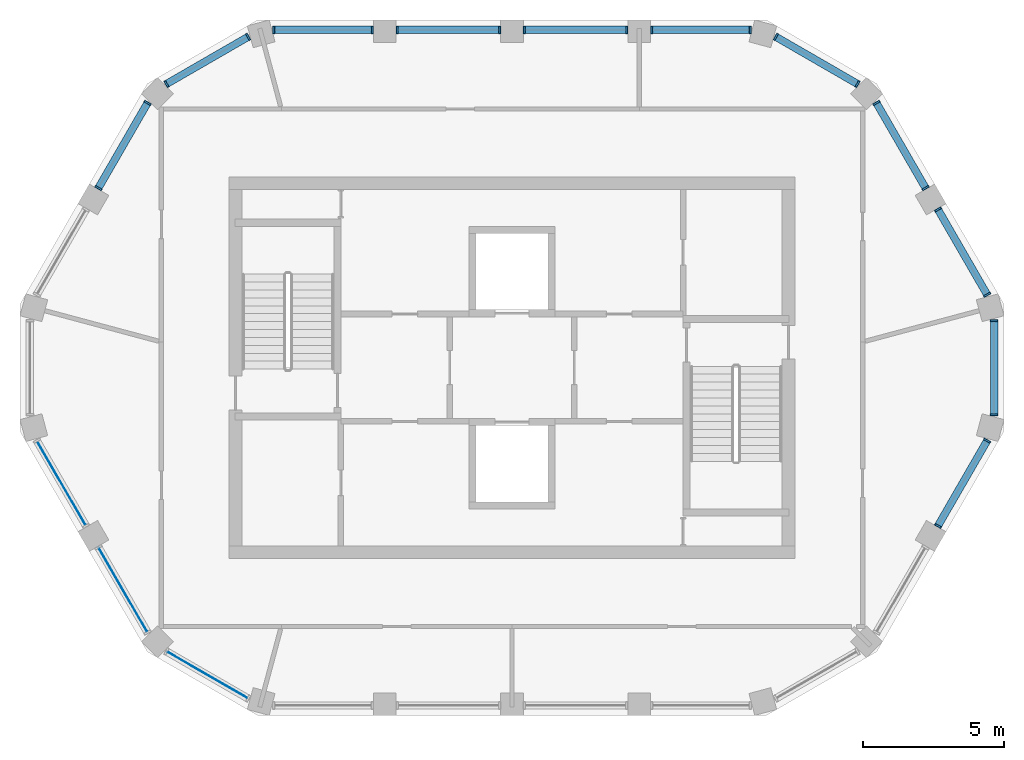
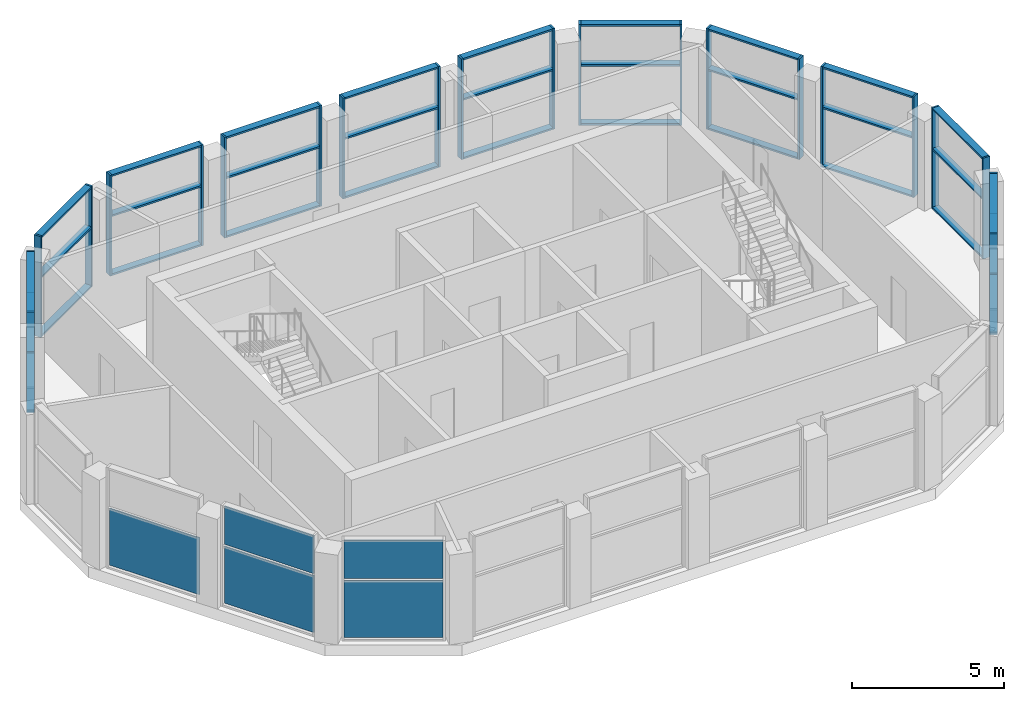
# One storey, part 2 of 6: 55 members, 5 plates, 14 elements without a shape of their own.
"""IFC4 building model written with IfcOpenShell, lengths in metres."""

from ifc_helpers import new_model, si_unit, direction, frame, origin, origin_2d, place, context, subcontext, project, spatial, rectangle, extrude, material, layer, layer_set, material_profile, profile_set, type_object, element, aggregate, save


model = new_model("IFC4")

# Units and contexts
model_context = context("Model", 3, precision=1e-05, world=origin(), true_north=direction((0.0, 1.0)))
body_context = subcontext(model_context, "Body", "Model", "MODEL_VIEW")
ifc_project = project(units=[si_unit("LENGTHUNIT", "METRE"), si_unit("AREAUNIT", "SQUARE_METRE"), si_unit("VOLUMEUNIT", "CUBIC_METRE"), si_unit("PLANEANGLEUNIT", "RADIAN"), si_unit("MASSUNIT", "GRAM", prefix="KILO")], contexts=[model_context])

# Site, building, storey
site_placement = place(None, origin())
site = spatial("IfcSite", under=ifc_project, at=site_placement, CompositionType="ELEMENT")
building_placement = place(site_placement, origin())
building = spatial("IfcBuilding", under=site, at=building_placement, Name="Dhurran Vertical Campus", CompositionType="ELEMENT")
storey_placement = place(building_placement, frame((0.0, 0.0, 327.89990234375)))
storey = spatial("IfcBuildingStorey", under=building, at=storey_placement, Name="L80 Plant", CompositionType="ELEMENT", Elevation=327.89990234375)

# Curtain wall, members
ifc_material_1 = material(Name="Aluminium frame with solar-control glass", Category="aluminium")
ifc_layer_1 = layer(ifc_material_1, 0.260009765625)
ifc_layer_set_1 = layer_set([ifc_layer_1], Name="Aluminium frame with solar-control glass")
curtain_wall_type = type_object("IfcCurtainWallType", Name="Crown lantern glazing system", PredefinedType="NOTDEFINED", material=ifc_layer_set_1)
curtain_wall_1_placement = place(storey_placement, origin())
curtain_wall_1 = element("IfcCurtainWall", 1, at=curtain_wall_1_placement, inside=storey, type_object=curtain_wall_type, Name="CW6 L80.06", PredefinedType="NOTDEFINED")
ifc_material_2 = material(Name="Aluminium mullion", Category="aluminium")
ifc_material_profile_1 = material_profile(ifc_material_2, rectangle(XDim=0.260009765625, YDim=0.070068359375, at=origin_2d()), Name="Crown lantern glazing system mullion")
ifc_profile_set_1 = profile_set([ifc_material_profile_1], Name="Aluminium mullion")
member_type_1 = type_object("IfcMemberType", Name="Crown lantern glazing system mullion", PredefinedType="MULLION", material=ifc_profile_set_1)
member_1_placement = place(storey_placement, frame((15.061767578125, -5.594970703125, 0.0), z_axis=(0.0, 0.0, 1.0), x_axis=(-0.866030372825, 0.499991393271, 0.0)))
member_1 = element("IfcMember", 2, at=member_1_placement, type_object=member_type_1, Name="CW6 mullion 1", PredefinedType="MULLION", context=body_context, shape_type="SweptSolid", body=[
    extrude(rectangle(XDim=0.260009765625, YDim=0.070068359375, at=origin_2d()), origin(), (0.0, 0.0, 1.0), 4.050048828125),
])
member_2_placement = place(storey_placement, frame((16.802490234375, -2.580078125, 0.0), z_axis=(0.0, 0.0, 1.0), x_axis=(-0.866030372825, 0.499991393271, 0.0)))
member_2 = element("IfcMember", 3, at=member_2_placement, type_object=member_type_1, Name="CW6 mullion 2", PredefinedType="MULLION", context=body_context, shape_type="SweptSolid", body=[
    extrude(rectangle(XDim=0.260009765625, YDim=0.070068359375, at=origin_2d()), origin(), (0.0, 0.0, 1.0), 4.050048828125),
])

curtain_wall_2_placement = place(storey_placement, origin())
curtain_wall_2 = element("IfcCurtainWall", 4, at=curtain_wall_2_placement, inside=storey, type_object=curtain_wall_type, Name="CW6 L80.07", PredefinedType="NOTDEFINED")
member_3_placement = place(storey_placement, frame((17.047119140625, -1.66650390625, 0.0), z_axis=(0.0, 0.0, 1.0), x_axis=(-1.0, 0.0, 0.0)))
member_3 = element("IfcMember", 5, at=member_3_placement, type_object=member_type_1, Name="CW6 mullion 1", PredefinedType="MULLION", context=body_context, shape_type="SweptSolid", body=[
    extrude(rectangle(XDim=0.260009765625, YDim=0.070068359375, at=origin_2d()), origin(), (0.0, 0.0, 1.0), 4.050048828125),
])
member_4_placement = place(storey_placement, frame((17.047119140625, 1.66650390625, 0.0), z_axis=(0.0, 0.0, 1.0), x_axis=(-1.0, 0.0, 0.0)))
member_4 = element("IfcMember", 6, at=member_4_placement, type_object=member_type_1, Name="CW6 mullion 2", PredefinedType="MULLION", context=body_context, shape_type="SweptSolid", body=[
    extrude(rectangle(XDim=0.260009765625, YDim=0.070068359375, at=origin_2d()), origin(), (0.0, 0.0, 1.0), 4.050048828125),
])

curtain_wall_3_placement = place(storey_placement, origin())
curtain_wall_3 = element("IfcCurtainWall", 7, at=curtain_wall_3_placement, inside=storey, type_object=curtain_wall_type, Name="CW6 L80.08", PredefinedType="NOTDEFINED")
member_5_placement = place(storey_placement, frame((16.802490234375, 2.580078125, 0.0), z_axis=(0.0, 0.0, 1.0), x_axis=(-0.866030372825, -0.499991393271, 0.0)))
member_5 = element("IfcMember", 8, at=member_5_placement, type_object=member_type_1, Name="CW6 mullion 1", PredefinedType="MULLION", context=body_context, shape_type="SweptSolid", body=[
    extrude(rectangle(XDim=0.260009765625, YDim=0.070068359375, at=origin_2d()), origin(), (0.0, 0.0, 1.0), 4.050048828125),
])
member_6_placement = place(storey_placement, frame((15.061767578125, 5.594970703125, 0.0), z_axis=(0.0, 0.0, 1.0), x_axis=(-0.866030372825, -0.499991393271, 0.0)))
member_6 = element("IfcMember", 9, at=member_6_placement, type_object=member_type_1, Name="CW6 mullion 2", PredefinedType="MULLION", context=body_context, shape_type="SweptSolid", body=[
    extrude(rectangle(XDim=0.260009765625, YDim=0.070068359375, at=origin_2d()), origin(), (0.0, 0.0, 1.0), 4.050048828125),
])

curtain_wall_4_placement = place(storey_placement, origin())
curtain_wall_4 = element("IfcCurtainWall", 10, at=curtain_wall_4_placement, inside=storey, type_object=curtain_wall_type, Name="CW6 L80.09", PredefinedType="NOTDEFINED")
member_7_placement = place(storey_placement, frame((14.626220703125, 6.349365234375, 0.0), z_axis=(0.0, 0.0, 1.0), x_axis=(-0.866016292778, -0.500015780395, 0.0)))
member_7 = element("IfcMember", 11, at=member_7_placement, type_object=member_type_1, Name="CW6 mullion 1", PredefinedType="MULLION", context=body_context, shape_type="SweptSolid", body=[
    extrude(rectangle(XDim=0.260009765625, YDim=0.070068359375, at=origin_2d()), origin(), (0.0, 0.0, 1.0), 4.050048828125),
])
member_8_placement = place(storey_placement, frame((12.8857421875, 9.364013671875, 0.0), z_axis=(0.0, 0.0, 1.0), x_axis=(-0.866016292778, -0.500015780395, 0.0)))
member_8 = element("IfcMember", 12, at=member_8_placement, type_object=member_type_1, Name="CW6 mullion 2", PredefinedType="MULLION", context=body_context, shape_type="SweptSolid", body=[
    extrude(rectangle(XDim=0.260009765625, YDim=0.070068359375, at=origin_2d()), origin(), (0.0, 0.0, 1.0), 4.050048828125),
])

curtain_wall_5_placement = place(storey_placement, origin())
curtain_wall_5 = element("IfcCurtainWall", 13, at=curtain_wall_5_placement, inside=storey, type_object=curtain_wall_type, Name="CW6 L80.10", PredefinedType="NOTDEFINED")
member_9_placement = place(storey_placement, frame((12.217041015625, 10.03271484375, 0.0), z_axis=(0.0, 0.0, 1.0), x_axis=(-0.499991203395, -0.866030482447, 0.0)))
member_9 = element("IfcMember", 14, at=member_9_placement, type_object=member_type_1, Name="CW6 mullion 1", PredefinedType="MULLION", context=body_context, shape_type="SweptSolid", body=[
    extrude(rectangle(XDim=0.260009765625, YDim=0.070068359375, at=origin_2d()), origin(), (0.0, 0.0, 1.0), 4.050048828125),
])
member_10_placement = place(storey_placement, frame((9.330078125, 11.699462890625, 0.0), z_axis=(0.0, 0.0, 1.0), x_axis=(-0.499991203395, -0.866030482447, 0.0)))
member_10 = element("IfcMember", 15, at=member_10_placement, type_object=member_type_1, Name="CW6 mullion 2", PredefinedType="MULLION", context=body_context, shape_type="SweptSolid", body=[
    extrude(rectangle(XDim=0.260009765625, YDim=0.070068359375, at=origin_2d()), origin(), (0.0, 0.0, 1.0), 4.050048828125),
])

curtain_wall_6_placement = place(storey_placement, origin())
curtain_wall_6 = element("IfcCurtainWall", 16, at=curtain_wall_6_placement, inside=storey, type_object=curtain_wall_type, Name="CW6 L80.11", PredefinedType="NOTDEFINED")
member_11_placement = place(storey_placement, frame((8.41650390625, 11.944091796875, 0.0), z_axis=(0.0, 0.0, 1.0), x_axis=(0.0, -1.0, 0.0)))
member_11 = element("IfcMember", 17, at=member_11_placement, type_object=member_type_1, Name="CW6 mullion 1", PredefinedType="MULLION", context=body_context, shape_type="SweptSolid", body=[
    extrude(rectangle(XDim=0.260009765625, YDim=0.070068359375, at=origin_2d()), origin(), (0.0, 0.0, 1.0), 4.050048828125),
])
member_12_placement = place(storey_placement, frame((4.935546875, 11.944091796875, 0.0), z_axis=(0.0, 0.0, 1.0), x_axis=(0.0, -1.0, 0.0)))
member_12 = element("IfcMember", 18, at=member_12_placement, type_object=member_type_1, Name="CW6 mullion 2", PredefinedType="MULLION", context=body_context, shape_type="SweptSolid", body=[
    extrude(rectangle(XDim=0.260009765625, YDim=0.070068359375, at=origin_2d()), origin(), (0.0, 0.0, 1.0), 4.050048828125),
])

curtain_wall_7_placement = place(storey_placement, origin())
curtain_wall_7 = element("IfcCurtainWall", 19, at=curtain_wall_7_placement, inside=storey, type_object=curtain_wall_type, Name="CW6 L80.12", PredefinedType="NOTDEFINED")
member_13_placement = place(storey_placement, frame((4.064453125, 11.944091796875, 0.0), z_axis=(0.0, 0.0, 1.0), x_axis=(0.0, -1.0, 0.0)))
member_13 = element("IfcMember", 20, at=member_13_placement, type_object=member_type_1, Name="CW6 mullion 1", PredefinedType="MULLION", context=body_context, shape_type="SweptSolid", body=[
    extrude(rectangle(XDim=0.260009765625, YDim=0.070068359375, at=origin_2d()), origin(), (0.0, 0.0, 1.0), 4.050048828125),
])
member_14_placement = place(storey_placement, frame((0.435546875, 11.944091796875, 0.0), z_axis=(0.0, 0.0, 1.0), x_axis=(0.0, -1.0, 0.0)))
member_14 = element("IfcMember", 21, at=member_14_placement, type_object=member_type_1, Name="CW6 mullion 2", PredefinedType="MULLION", context=body_context, shape_type="SweptSolid", body=[
    extrude(rectangle(XDim=0.260009765625, YDim=0.070068359375, at=origin_2d()), origin(), (0.0, 0.0, 1.0), 4.050048828125),
])

curtain_wall_8_placement = place(storey_placement, origin())
curtain_wall_8 = element("IfcCurtainWall", 22, at=curtain_wall_8_placement, inside=storey, type_object=curtain_wall_type, Name="CW6 L80.13", PredefinedType="NOTDEFINED")
member_15_placement = place(storey_placement, frame((-0.435546875, 11.944091796875, 0.0), z_axis=(0.0, 0.0, 1.0), x_axis=(0.0, -1.0, 0.0)))
member_15 = element("IfcMember", 23, at=member_15_placement, type_object=member_type_1, Name="CW6 mullion 1", PredefinedType="MULLION", context=body_context, shape_type="SweptSolid", body=[
    extrude(rectangle(XDim=0.260009765625, YDim=0.070068359375, at=origin_2d()), origin(), (0.0, 0.0, 1.0), 4.050048828125),
])
member_16_placement = place(storey_placement, frame((-4.064453125, 11.944091796875, 0.0), z_axis=(0.0, 0.0, 1.0), x_axis=(0.0, -1.0, 0.0)))
member_16 = element("IfcMember", 24, at=member_16_placement, type_object=member_type_1, Name="CW6 mullion 2", PredefinedType="MULLION", context=body_context, shape_type="SweptSolid", body=[
    extrude(rectangle(XDim=0.260009765625, YDim=0.070068359375, at=origin_2d()), origin(), (0.0, 0.0, 1.0), 4.050048828125),
])

curtain_wall_9_placement = place(storey_placement, origin())
curtain_wall_9 = element("IfcCurtainWall", 25, at=curtain_wall_9_placement, inside=storey, type_object=curtain_wall_type, Name="CW6 L80.14", PredefinedType="NOTDEFINED")
member_17_placement = place(storey_placement, frame((-4.935546875, 11.944091796875, 0.0), z_axis=(0.0, 0.0, 1.0), x_axis=(0.0, -1.0, 0.0)))
member_17 = element("IfcMember", 26, at=member_17_placement, type_object=member_type_1, Name="CW6 mullion 1", PredefinedType="MULLION", context=body_context, shape_type="SweptSolid", body=[
    extrude(rectangle(XDim=0.260009765625, YDim=0.070068359375, at=origin_2d()), origin(), (0.0, 0.0, 1.0), 4.050048828125),
])
member_18_placement = place(storey_placement, frame((-8.41650390625, 11.944091796875, 0.0), z_axis=(0.0, 0.0, 1.0), x_axis=(0.0, -1.0, 0.0)))
member_18 = element("IfcMember", 27, at=member_18_placement, type_object=member_type_1, Name="CW6 mullion 2", PredefinedType="MULLION", context=body_context, shape_type="SweptSolid", body=[
    extrude(rectangle(XDim=0.260009765625, YDim=0.070068359375, at=origin_2d()), origin(), (0.0, 0.0, 1.0), 4.050048828125),
])

curtain_wall_10_placement = place(storey_placement, origin())
curtain_wall_10 = element("IfcCurtainWall", 28, at=curtain_wall_10_placement, inside=storey, type_object=curtain_wall_type, Name="CW6 L80.15", PredefinedType="NOTDEFINED")
member_19_placement = place(storey_placement, frame((-9.330078125, 11.699462890625, 0.0), z_axis=(0.0, 0.0, 1.0), x_axis=(0.499991203395, -0.866030482447, 0.0)))
member_19 = element("IfcMember", 29, at=member_19_placement, type_object=member_type_1, Name="CW6 mullion 1", PredefinedType="MULLION", context=body_context, shape_type="SweptSolid", body=[
    extrude(rectangle(XDim=0.260009765625, YDim=0.070068359375, at=origin_2d()), origin(), (0.0, 0.0, 1.0), 4.050048828125),
])
member_20_placement = place(storey_placement, frame((-12.217041015625, 10.03271484375, 0.0), z_axis=(0.0, 0.0, 1.0), x_axis=(0.499991203395, -0.866030482447, 0.0)))
member_20 = element("IfcMember", 30, at=member_20_placement, type_object=member_type_1, Name="CW6 mullion 2", PredefinedType="MULLION", context=body_context, shape_type="SweptSolid", body=[
    extrude(rectangle(XDim=0.260009765625, YDim=0.070068359375, at=origin_2d()), origin(), (0.0, 0.0, 1.0), 4.050048828125),
])

curtain_wall_11_placement = place(storey_placement, origin())
curtain_wall_11 = element("IfcCurtainWall", 31, at=curtain_wall_11_placement, inside=storey, type_object=curtain_wall_type, Name="CW6 L80.16", PredefinedType="NOTDEFINED")
member_21_placement = place(storey_placement, frame((-12.8857421875, 9.364013671875, 0.0), z_axis=(0.0, 0.0, 1.0), x_axis=(0.866016292778, -0.500015780395, 0.0)))
member_21 = element("IfcMember", 32, at=member_21_placement, type_object=member_type_1, Name="CW6 mullion 1", PredefinedType="MULLION", context=body_context, shape_type="SweptSolid", body=[
    extrude(rectangle(XDim=0.260009765625, YDim=0.070068359375, at=origin_2d()), origin(), (0.0, 0.0, 1.0), 4.050048828125),
])
member_22_placement = place(storey_placement, frame((-14.626220703125, 6.349365234375, 0.0), z_axis=(0.0, 0.0, 1.0), x_axis=(0.866016292778, -0.500015780395, 0.0)))
member_22 = element("IfcMember", 33, at=member_22_placement, type_object=member_type_1, Name="CW6 mullion 2", PredefinedType="MULLION", context=body_context, shape_type="SweptSolid", body=[
    extrude(rectangle(XDim=0.260009765625, YDim=0.070068359375, at=origin_2d()), origin(), (0.0, 0.0, 1.0), 4.050048828125),
])

# Member
ifc_material_3 = material(Name="Aluminium transom", Category="aluminium")
ifc_material_profile_2 = material_profile(ifc_material_3, rectangle(XDim=0.260009765625, YDim=0.070068359375, at=origin_2d()), Name="Crown lantern glazing system transom")
ifc_profile_set_2 = profile_set([ifc_material_profile_2], Name="Aluminium transom")
member_type_2 = type_object("IfcMemberType", Name="Crown lantern glazing system transom", PredefinedType="USERDEFINED", material=ifc_profile_set_2)
member_23_placement = place(storey_placement, frame((15.079345703125, -5.564697265625, 0.03515625), z_axis=(0.499972324094, 0.866041381887, 0.0), x_axis=(-0.866041381887, 0.499972324094, 0.0)))
member_23 = element("IfcMember", 34, at=member_23_placement, type_object=member_type_2, Name="CW6 transom 1.1", ObjectType="TRANSOM", PredefinedType="USERDEFINED", context=body_context, shape_type="SweptSolid", body=[
    extrude(rectangle(XDim=0.260009765625, YDim=0.070068359375, at=origin_2d()), origin(), (0.0, 0.0, 1.0), 3.411376953125),
])

member_24_placement = place(storey_placement, frame((15.079345703125, -5.564697265625, 2.400146484375), z_axis=(0.499972324094, 0.866041381887, 0.0), x_axis=(-0.866041381887, 0.499972324094, 0.0)))
member_24 = element("IfcMember", 35, at=member_24_placement, type_object=member_type_2, Name="CW6 transom 1.2", ObjectType="TRANSOM", PredefinedType="USERDEFINED", context=body_context, shape_type="SweptSolid", body=[
    extrude(rectangle(XDim=0.260009765625, YDim=0.070068359375, at=origin_2d()), origin(), (0.0, 0.0, 1.0), 3.411376953125),
])

member_25_placement = place(storey_placement, frame((15.079345703125, -5.564697265625, 4.01513671875), z_axis=(0.499972324094, 0.866041381887, 0.0), x_axis=(-0.866041381887, 0.499972324094, 0.0)))
member_25 = element("IfcMember", 36, at=member_25_placement, type_object=member_type_2, Name="CW6 transom 1.3", ObjectType="TRANSOM", PredefinedType="USERDEFINED", context=body_context, shape_type="SweptSolid", body=[
    extrude(rectangle(XDim=0.260009765625, YDim=0.070068359375, at=origin_2d()), origin(), (0.0, 0.0, 1.0), 3.411376953125),
])

aggregate(curtain_wall_1, [member_1, member_2, member_23, member_24, member_25])

member_26_placement = place(storey_placement, frame((17.047119140625, -1.631591796875, 0.03515625), z_axis=(0.0, 1.0, 0.0), x_axis=(-1.0, 0.0, 0.0)))
member_26 = element("IfcMember", 37, at=member_26_placement, type_object=member_type_2, Name="CW6 transom 1.1", ObjectType="TRANSOM", PredefinedType="USERDEFINED", context=body_context, shape_type="SweptSolid", body=[
    extrude(rectangle(XDim=0.260009765625, YDim=0.070068359375, at=origin_2d()), origin(), (0.0, 0.0, 1.0), 3.26318359375),
])

member_27_placement = place(storey_placement, frame((17.047119140625, -1.631591796875, 2.400146484375), z_axis=(0.0, 1.0, 0.0), x_axis=(-1.0, 0.0, 0.0)))
member_27 = element("IfcMember", 38, at=member_27_placement, type_object=member_type_2, Name="CW6 transom 1.2", ObjectType="TRANSOM", PredefinedType="USERDEFINED", context=body_context, shape_type="SweptSolid", body=[
    extrude(rectangle(XDim=0.260009765625, YDim=0.070068359375, at=origin_2d()), origin(), (0.0, 0.0, 1.0), 3.26318359375),
])

member_28_placement = place(storey_placement, frame((17.047119140625, -1.631591796875, 4.01513671875), z_axis=(0.0, 1.0, 0.0), x_axis=(-1.0, 0.0, 0.0)))
member_28 = element("IfcMember", 39, at=member_28_placement, type_object=member_type_2, Name="CW6 transom 1.3", ObjectType="TRANSOM", PredefinedType="USERDEFINED", context=body_context, shape_type="SweptSolid", body=[
    extrude(rectangle(XDim=0.260009765625, YDim=0.070068359375, at=origin_2d()), origin(), (0.0, 0.0, 1.0), 3.26318359375),
])

aggregate(curtain_wall_2, [member_3, member_4, member_26, member_27, member_28])

member_29_placement = place(storey_placement, frame((16.784912109375, 2.6103515625, 0.03515625), z_axis=(-0.499972324094, 0.866041381887, 0.0), x_axis=(-0.866041381887, -0.499972324094, 0.0)))
member_29 = element("IfcMember", 40, at=member_29_placement, type_object=member_type_2, Name="CW6 transom 1.1", ObjectType="TRANSOM", PredefinedType="USERDEFINED", context=body_context, shape_type="SweptSolid", body=[
    extrude(rectangle(XDim=0.260009765625, YDim=0.070068359375, at=origin_2d()), origin(), (0.0, 0.0, 1.0), 3.411376953125),
])

member_30_placement = place(storey_placement, frame((16.784912109375, 2.6103515625, 2.400146484375), z_axis=(-0.499972324094, 0.866041381887, 0.0), x_axis=(-0.866041381887, -0.499972324094, 0.0)))
member_30 = element("IfcMember", 41, at=member_30_placement, type_object=member_type_2, Name="CW6 transom 1.2", ObjectType="TRANSOM", PredefinedType="USERDEFINED", context=body_context, shape_type="SweptSolid", body=[
    extrude(rectangle(XDim=0.260009765625, YDim=0.070068359375, at=origin_2d()), origin(), (0.0, 0.0, 1.0), 3.411376953125),
])

member_31_placement = place(storey_placement, frame((16.784912109375, 2.6103515625, 4.01513671875), z_axis=(-0.499972324094, 0.866041381887, 0.0), x_axis=(-0.866041381887, -0.499972324094, 0.0)))
member_31 = element("IfcMember", 42, at=member_31_placement, type_object=member_type_2, Name="CW6 transom 1.3", ObjectType="TRANSOM", PredefinedType="USERDEFINED", context=body_context, shape_type="SweptSolid", body=[
    extrude(rectangle(XDim=0.260009765625, YDim=0.070068359375, at=origin_2d()), origin(), (0.0, 0.0, 1.0), 3.411376953125),
])

aggregate(curtain_wall_3, [member_5, member_6, member_29, member_30, member_31])

member_32_placement = place(storey_placement, frame((14.60888671875, 6.379638671875, 0.03515625), z_axis=(-0.500003314297, 0.866023490266, 0.0), x_axis=(-0.866023490266, -0.500003314297, 0.0)))
member_32 = element("IfcMember", 43, at=member_32_placement, type_object=member_type_2, Name="CW6 transom 1.1", ObjectType="TRANSOM", PredefinedType="USERDEFINED", context=body_context, shape_type="SweptSolid", body=[
    extrude(rectangle(XDim=0.260009765625, YDim=0.070068359375, at=origin_2d()), origin(), (0.0, 0.0, 1.0), 3.4111328125),
])

member_33_placement = place(storey_placement, frame((14.60888671875, 6.379638671875, 2.400146484375), z_axis=(-0.500003314297, 0.866023490266, 0.0), x_axis=(-0.866023490266, -0.500003314297, 0.0)))
member_33 = element("IfcMember", 44, at=member_33_placement, type_object=member_type_2, Name="CW6 transom 1.2", ObjectType="TRANSOM", PredefinedType="USERDEFINED", context=body_context, shape_type="SweptSolid", body=[
    extrude(rectangle(XDim=0.260009765625, YDim=0.070068359375, at=origin_2d()), origin(), (0.0, 0.0, 1.0), 3.4111328125),
])

member_34_placement = place(storey_placement, frame((14.60888671875, 6.379638671875, 4.01513671875), z_axis=(-0.500003314297, 0.866023490266, 0.0), x_axis=(-0.866023490266, -0.500003314297, 0.0)))
member_34 = element("IfcMember", 45, at=member_34_placement, type_object=member_type_2, Name="CW6 transom 1.3", ObjectType="TRANSOM", PredefinedType="USERDEFINED", context=body_context, shape_type="SweptSolid", body=[
    extrude(rectangle(XDim=0.260009765625, YDim=0.070068359375, at=origin_2d()), origin(), (0.0, 0.0, 1.0), 3.4111328125),
])

aggregate(curtain_wall_4, [member_7, member_8, member_32, member_33, member_34])

member_35_placement = place(storey_placement, frame((12.186767578125, 10.05029296875, 0.03515625), z_axis=(-0.866057278891, 0.499944786631, 0.0), x_axis=(-0.499944786631, -0.866057278891, 0.0)))
member_35 = element("IfcMember", 46, at=member_35_placement, type_object=member_type_2, Name="CW6 transom 1.1", ObjectType="TRANSOM", PredefinedType="USERDEFINED", context=body_context, shape_type="SweptSolid", body=[
    extrude(rectangle(XDim=0.260009765625, YDim=0.070068359375, at=origin_2d()), origin(), (0.0, 0.0, 1.0), 3.263427734375),
])

member_36_placement = place(storey_placement, frame((12.186767578125, 10.05029296875, 2.400146484375), z_axis=(-0.866057278891, 0.499944786631, 0.0), x_axis=(-0.499944786631, -0.866057278891, 0.0)))
member_36 = element("IfcMember", 47, at=member_36_placement, type_object=member_type_2, Name="CW6 transom 1.2", ObjectType="TRANSOM", PredefinedType="USERDEFINED", context=body_context, shape_type="SweptSolid", body=[
    extrude(rectangle(XDim=0.260009765625, YDim=0.070068359375, at=origin_2d()), origin(), (0.0, 0.0, 1.0), 3.263427734375),
])

member_37_placement = place(storey_placement, frame((12.186767578125, 10.05029296875, 4.01513671875), z_axis=(-0.866057278891, 0.499944786631, 0.0), x_axis=(-0.499944786631, -0.866057278891, 0.0)))
member_37 = element("IfcMember", 48, at=member_37_placement, type_object=member_type_2, Name="CW6 transom 1.3", ObjectType="TRANSOM", PredefinedType="USERDEFINED", context=body_context, shape_type="SweptSolid", body=[
    extrude(rectangle(XDim=0.260009765625, YDim=0.070068359375, at=origin_2d()), origin(), (0.0, 0.0, 1.0), 3.263427734375),
])

aggregate(curtain_wall_5, [member_9, member_10, member_35, member_36, member_37])

member_38_placement = place(storey_placement, frame((8.381591796875, 11.944091796875, 0.03515625), z_axis=(-1.0, 0.0, 0.0), x_axis=(0.0, -1.0, 0.0)))
member_38 = element("IfcMember", 49, at=member_38_placement, type_object=member_type_2, Name="CW6 transom 1.1", ObjectType="TRANSOM", PredefinedType="USERDEFINED", context=body_context, shape_type="SweptSolid", body=[
    extrude(rectangle(XDim=0.260009765625, YDim=0.070068359375, at=origin_2d()), origin(), (0.0, 0.0, 1.0), 3.4111328125),
])

member_39_placement = place(storey_placement, frame((8.381591796875, 11.944091796875, 2.400146484375), z_axis=(-1.0, 0.0, 0.0), x_axis=(0.0, -1.0, 0.0)))
member_39 = element("IfcMember", 50, at=member_39_placement, type_object=member_type_2, Name="CW6 transom 1.2", ObjectType="TRANSOM", PredefinedType="USERDEFINED", context=body_context, shape_type="SweptSolid", body=[
    extrude(rectangle(XDim=0.260009765625, YDim=0.070068359375, at=origin_2d()), origin(), (0.0, 0.0, 1.0), 3.4111328125),
])

member_40_placement = place(storey_placement, frame((8.381591796875, 11.944091796875, 4.01513671875), z_axis=(-1.0, 0.0, 0.0), x_axis=(0.0, -1.0, 0.0)))
member_40 = element("IfcMember", 51, at=member_40_placement, type_object=member_type_2, Name="CW6 transom 1.3", ObjectType="TRANSOM", PredefinedType="USERDEFINED", context=body_context, shape_type="SweptSolid", body=[
    extrude(rectangle(XDim=0.260009765625, YDim=0.070068359375, at=origin_2d()), origin(), (0.0, 0.0, 1.0), 3.4111328125),
])

aggregate(curtain_wall_6, [member_11, member_12, member_38, member_39, member_40])

member_41_placement = place(storey_placement, frame((4.029541015625, 11.944091796875, 0.03515625), z_axis=(-1.0, 0.0, 0.0), x_axis=(0.0, -1.0, 0.0)))
member_41 = element("IfcMember", 52, at=member_41_placement, type_object=member_type_2, Name="CW6 transom 1.1", ObjectType="TRANSOM", PredefinedType="USERDEFINED", context=body_context, shape_type="SweptSolid", body=[
    extrude(rectangle(XDim=0.260009765625, YDim=0.070068359375, at=origin_2d()), origin(), (0.0, 0.0, 1.0), 3.55908203125),
])

member_42_placement = place(storey_placement, frame((4.029541015625, 11.944091796875, 2.400146484375), z_axis=(-1.0, 0.0, 0.0), x_axis=(0.0, -1.0, 0.0)))
member_42 = element("IfcMember", 53, at=member_42_placement, type_object=member_type_2, Name="CW6 transom 1.2", ObjectType="TRANSOM", PredefinedType="USERDEFINED", context=body_context, shape_type="SweptSolid", body=[
    extrude(rectangle(XDim=0.260009765625, YDim=0.070068359375, at=origin_2d()), origin(), (0.0, 0.0, 1.0), 3.55908203125),
])

member_43_placement = place(storey_placement, frame((4.029541015625, 11.944091796875, 4.01513671875), z_axis=(-1.0, 0.0, 0.0), x_axis=(0.0, -1.0, 0.0)))
member_43 = element("IfcMember", 54, at=member_43_placement, type_object=member_type_2, Name="CW6 transom 1.3", ObjectType="TRANSOM", PredefinedType="USERDEFINED", context=body_context, shape_type="SweptSolid", body=[
    extrude(rectangle(XDim=0.260009765625, YDim=0.070068359375, at=origin_2d()), origin(), (0.0, 0.0, 1.0), 3.55908203125),
])

aggregate(curtain_wall_7, [member_13, member_14, member_41, member_42, member_43])

member_44_placement = place(storey_placement, frame((-0.470458984375, 11.944091796875, 0.03515625), z_axis=(-1.0, 0.0, 0.0), x_axis=(0.0, -1.0, 0.0)))
member_44 = element("IfcMember", 55, at=member_44_placement, type_object=member_type_2, Name="CW6 transom 1.1", ObjectType="TRANSOM", PredefinedType="USERDEFINED", context=body_context, shape_type="SweptSolid", body=[
    extrude(rectangle(XDim=0.260009765625, YDim=0.070068359375, at=origin_2d()), origin(), (0.0, 0.0, 1.0), 3.55908203125),
])

member_45_placement = place(storey_placement, frame((-0.470458984375, 11.944091796875, 2.400146484375), z_axis=(-1.0, 0.0, 0.0), x_axis=(0.0, -1.0, 0.0)))
member_45 = element("IfcMember", 56, at=member_45_placement, type_object=member_type_2, Name="CW6 transom 1.2", ObjectType="TRANSOM", PredefinedType="USERDEFINED", context=body_context, shape_type="SweptSolid", body=[
    extrude(rectangle(XDim=0.260009765625, YDim=0.070068359375, at=origin_2d()), origin(), (0.0, 0.0, 1.0), 3.55908203125),
])

member_46_placement = place(storey_placement, frame((-0.470458984375, 11.944091796875, 4.01513671875), z_axis=(-1.0, 0.0, 0.0), x_axis=(0.0, -1.0, 0.0)))
member_46 = element("IfcMember", 57, at=member_46_placement, type_object=member_type_2, Name="CW6 transom 1.3", ObjectType="TRANSOM", PredefinedType="USERDEFINED", context=body_context, shape_type="SweptSolid", body=[
    extrude(rectangle(XDim=0.260009765625, YDim=0.070068359375, at=origin_2d()), origin(), (0.0, 0.0, 1.0), 3.55908203125),
])

aggregate(curtain_wall_8, [member_15, member_16, member_44, member_45, member_46])

member_47_placement = place(storey_placement, frame((-4.970458984375, 11.944091796875, 0.03515625), z_axis=(-1.0, 0.0, 0.0), x_axis=(0.0, -1.0, 0.0)))
member_47 = element("IfcMember", 58, at=member_47_placement, type_object=member_type_2, Name="CW6 transom 1.1", ObjectType="TRANSOM", PredefinedType="USERDEFINED", context=body_context, shape_type="SweptSolid", body=[
    extrude(rectangle(XDim=0.260009765625, YDim=0.070068359375, at=origin_2d()), origin(), (0.0, 0.0, 1.0), 3.4111328125),
])

member_48_placement = place(storey_placement, frame((-4.970458984375, 11.944091796875, 2.400146484375), z_axis=(-1.0, 0.0, 0.0), x_axis=(0.0, -1.0, 0.0)))
member_48 = element("IfcMember", 59, at=member_48_placement, type_object=member_type_2, Name="CW6 transom 1.2", ObjectType="TRANSOM", PredefinedType="USERDEFINED", context=body_context, shape_type="SweptSolid", body=[
    extrude(rectangle(XDim=0.260009765625, YDim=0.070068359375, at=origin_2d()), origin(), (0.0, 0.0, 1.0), 3.4111328125),
])

member_49_placement = place(storey_placement, frame((-4.970458984375, 11.944091796875, 4.01513671875), z_axis=(-1.0, 0.0, 0.0), x_axis=(0.0, -1.0, 0.0)))
member_49 = element("IfcMember", 60, at=member_49_placement, type_object=member_type_2, Name="CW6 transom 1.3", ObjectType="TRANSOM", PredefinedType="USERDEFINED", context=body_context, shape_type="SweptSolid", body=[
    extrude(rectangle(XDim=0.260009765625, YDim=0.070068359375, at=origin_2d()), origin(), (0.0, 0.0, 1.0), 3.4111328125),
])

aggregate(curtain_wall_9, [member_17, member_18, member_47, member_48, member_49])

member_50_placement = place(storey_placement, frame((-9.3603515625, 11.681884765625, 0.03515625), z_axis=(-0.866057278891, -0.499944786631, 0.0), x_axis=(0.499944786631, -0.866057278891, 0.0)))
member_50 = element("IfcMember", 61, at=member_50_placement, type_object=member_type_2, Name="CW6 transom 1.1", ObjectType="TRANSOM", PredefinedType="USERDEFINED", context=body_context, shape_type="SweptSolid", body=[
    extrude(rectangle(XDim=0.260009765625, YDim=0.070068359375, at=origin_2d()), origin(), (0.0, 0.0, 1.0), 3.263427734375),
])

member_51_placement = place(storey_placement, frame((-9.3603515625, 11.681884765625, 2.400146484375), z_axis=(-0.866057278891, -0.499944786631, 0.0), x_axis=(0.499944786631, -0.866057278891, 0.0)))
member_51 = element("IfcMember", 62, at=member_51_placement, type_object=member_type_2, Name="CW6 transom 1.2", ObjectType="TRANSOM", PredefinedType="USERDEFINED", context=body_context, shape_type="SweptSolid", body=[
    extrude(rectangle(XDim=0.260009765625, YDim=0.070068359375, at=origin_2d()), origin(), (0.0, 0.0, 1.0), 3.263427734375),
])

member_52_placement = place(storey_placement, frame((-9.3603515625, 11.681884765625, 4.01513671875), z_axis=(-0.866057278891, -0.499944786631, 0.0), x_axis=(0.499944786631, -0.866057278891, 0.0)))
member_52 = element("IfcMember", 63, at=member_52_placement, type_object=member_type_2, Name="CW6 transom 1.3", ObjectType="TRANSOM", PredefinedType="USERDEFINED", context=body_context, shape_type="SweptSolid", body=[
    extrude(rectangle(XDim=0.260009765625, YDim=0.070068359375, at=origin_2d()), origin(), (0.0, 0.0, 1.0), 3.263427734375),
])

aggregate(curtain_wall_10, [member_19, member_20, member_50, member_51, member_52])

member_53_placement = place(storey_placement, frame((-12.9033203125, 9.333740234375, 0.03515625), z_axis=(-0.500003314297, -0.866023490266, 0.0), x_axis=(0.866023490266, -0.500003314297, 0.0)))
member_53 = element("IfcMember", 64, at=member_53_placement, type_object=member_type_2, Name="CW6 transom 1.1", ObjectType="TRANSOM", PredefinedType="USERDEFINED", context=body_context, shape_type="SweptSolid", body=[
    extrude(rectangle(XDim=0.260009765625, YDim=0.070068359375, at=origin_2d()), origin(), (0.0, 0.0, 1.0), 3.4111328125),
])

member_54_placement = place(storey_placement, frame((-12.9033203125, 9.333740234375, 2.400146484375), z_axis=(-0.500003314297, -0.866023490266, 0.0), x_axis=(0.866023490266, -0.500003314297, 0.0)))
member_54 = element("IfcMember", 65, at=member_54_placement, type_object=member_type_2, Name="CW6 transom 1.2", ObjectType="TRANSOM", PredefinedType="USERDEFINED", context=body_context, shape_type="SweptSolid", body=[
    extrude(rectangle(XDim=0.260009765625, YDim=0.070068359375, at=origin_2d()), origin(), (0.0, 0.0, 1.0), 3.4111328125),
])

member_55_placement = place(storey_placement, frame((-12.9033203125, 9.333740234375, 4.01513671875), z_axis=(-0.500003314297, -0.866023490266, 0.0), x_axis=(0.866023490266, -0.500003314297, 0.0)))
member_55 = element("IfcMember", 66, at=member_55_placement, type_object=member_type_2, Name="CW6 transom 1.3", ObjectType="TRANSOM", PredefinedType="USERDEFINED", context=body_context, shape_type="SweptSolid", body=[
    extrude(rectangle(XDim=0.260009765625, YDim=0.070068359375, at=origin_2d()), origin(), (0.0, 0.0, 1.0), 3.4111328125),
])

aggregate(curtain_wall_11, [member_21, member_22, member_53, member_54, member_55])

# Curtain wall, plate
curtain_wall_12_placement = place(storey_placement, origin())
curtain_wall_12 = element("IfcCurtainWall", 67, at=curtain_wall_12_placement, inside=storey, type_object=curtain_wall_type, Name="CW6 L80.19", PredefinedType="NOTDEFINED")
ifc_material_4 = material(Name="Clear solar-control glass", Category="glass")
ifc_layer_2 = layer(ifc_material_4, 0.028076171875)
ifc_layer_set_2 = layer_set([ifc_layer_2], Name="Clear solar-control glass")
plate_type = type_object("IfcPlateType", Name="Crown lantern glazing system panel", PredefinedType="CURTAIN_PANEL", material=ifc_layer_set_2)
plate_1_placement = place(storey_placement, frame((-15.93212890625, -4.087646484375, 0.070068359375), z_axis=(0.0, 0.0, 1.0), x_axis=(0.499991393271, -0.866030372825, 0.0)))
plate_1 = element("IfcPlate", 68, at=plate_1_placement, type_object=plate_type, Name="CW6 panel 1.1", PredefinedType="CURTAIN_PANEL", context=body_context, shape_type="SweptSolid", body=[
    extrude(rectangle(XDim=3.411376953125, YDim=0.028076171875, at=origin_2d()), origin(), (0.0, 0.0, 1.0), 2.294921875),
])
aggregate(curtain_wall_12, [plate_1])

# Curtain wall, plates
curtain_wall_13_placement = place(storey_placement, origin())
curtain_wall_13 = element("IfcCurtainWall", 69, at=curtain_wall_13_placement, inside=storey, type_object=curtain_wall_type, Name="CW6 L80.20", PredefinedType="NOTDEFINED")
plate_2_placement = place(storey_placement, frame((-13.756103515625, -7.856689453125, 0.070068359375), z_axis=(0.0, 0.0, 1.0), x_axis=(0.500015780395, -0.866016292778, 0.0)))
plate_2 = element("IfcPlate", 70, at=plate_2_placement, type_object=plate_type, Name="CW6 panel 1.1", PredefinedType="CURTAIN_PANEL", context=body_context, shape_type="SweptSolid", body=[
    extrude(rectangle(XDim=3.4111328125, YDim=0.028076171875, at=origin_2d()), origin(), (0.0, 0.0, 1.0), 2.294921875),
])
plate_3_placement = place(storey_placement, frame((-13.756103515625, -7.856689453125, 2.43505859375), z_axis=(0.0, 0.0, 1.0), x_axis=(0.500015780395, -0.866016292778, 0.0)))
plate_3 = element("IfcPlate", 71, at=plate_3_placement, type_object=plate_type, Name="CW6 panel 1.2", PredefinedType="CURTAIN_PANEL", context=body_context, shape_type="SweptSolid", body=[
    extrude(rectangle(XDim=3.4111328125, YDim=0.028076171875, at=origin_2d()), origin(), (0.0, 0.0, 1.0), 1.544921875),
])
aggregate(curtain_wall_13, [plate_2, plate_3])

curtain_wall_14_placement = place(storey_placement, origin())
curtain_wall_14 = element("IfcCurtainWall", 72, at=curtain_wall_14_placement, inside=storey, type_object=curtain_wall_type, Name="CW6 L80.21", PredefinedType="NOTDEFINED")
plate_4_placement = place(storey_placement, frame((-10.7734375, -10.8662109375, 0.070068359375), z_axis=(0.0, 0.0, 1.0), x_axis=(0.866030482447, -0.499991203395, 0.0)))
plate_4 = element("IfcPlate", 73, at=plate_4_placement, type_object=plate_type, Name="CW6 panel 1.1", PredefinedType="CURTAIN_PANEL", context=body_context, shape_type="SweptSolid", body=[
    extrude(rectangle(XDim=3.263427734375, YDim=0.028076171875, at=origin_2d()), origin(), (0.0, 0.0, 1.0), 2.294921875),
])
plate_5_placement = place(storey_placement, frame((-10.7734375, -10.8662109375, 2.43505859375), z_axis=(0.0, 0.0, 1.0), x_axis=(0.866030482447, -0.499991203395, 0.0)))
plate_5 = element("IfcPlate", 74, at=plate_5_placement, type_object=plate_type, Name="CW6 panel 1.2", PredefinedType="CURTAIN_PANEL", context=body_context, shape_type="SweptSolid", body=[
    extrude(rectangle(XDim=3.263427734375, YDim=0.028076171875, at=origin_2d()), origin(), (0.0, 0.0, 1.0), 1.544921875),
])
aggregate(curtain_wall_14, [plate_4, plate_5])

save(model, "model.ifc")
